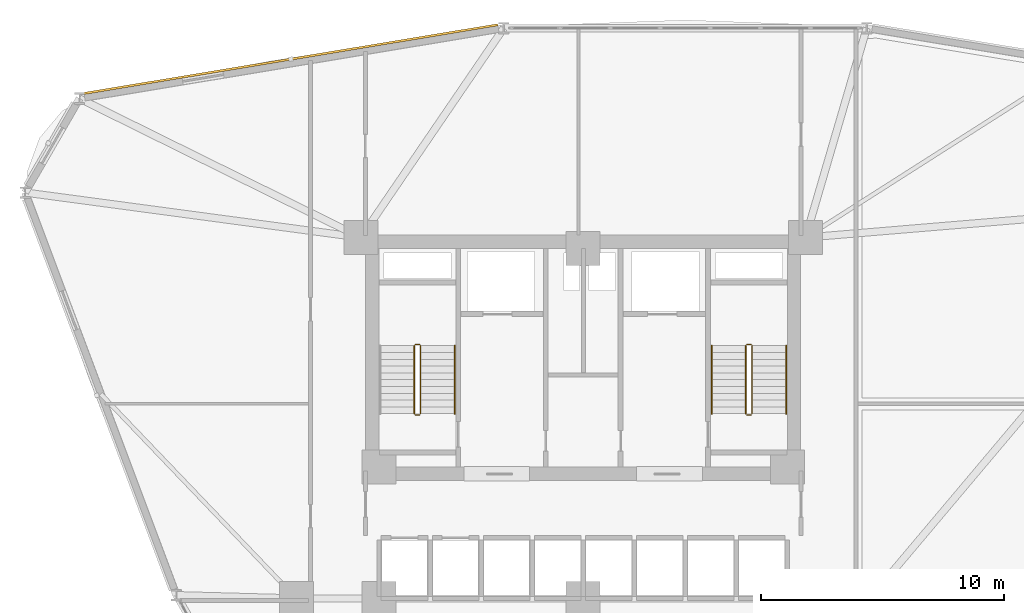
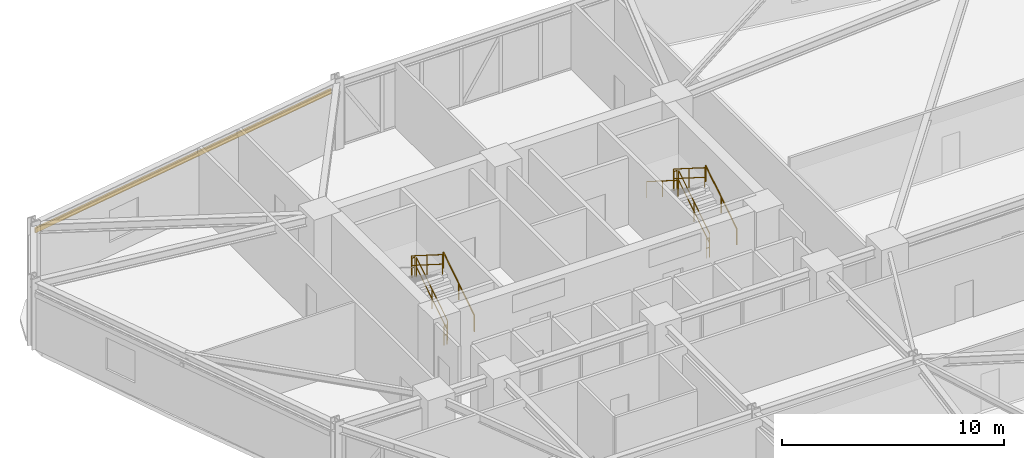
# One storey, part 19 of 20: 11 railings, 1 shading device.
"""IFC4 building model written with IfcOpenShell, lengths in metres."""

from ifc_helpers import new_model, si_unit, derived_unit, direction, frame, origin, origin_2d, place, context, subcontext, project, spatial, hollow_rectangle, circle, extrude, source, transform, mapped, material, material_profile, profile_set, type_object, element, save


model = new_model("IFC4")

# Units and contexts
model_context = context("Model", 3, precision=1e-05, world=origin(), true_north=direction((0.0, 1.0)))
body_context = subcontext(model_context, "Body", "Model", "MODEL_VIEW")
ifc_project = project(units=[si_unit("LENGTHUNIT", "METRE"), si_unit("AREAUNIT", "SQUARE_METRE"), si_unit("VOLUMEUNIT", "CUBIC_METRE"), si_unit("PLANEANGLEUNIT", "RADIAN"), si_unit("MASSUNIT", "GRAM", prefix="KILO"), derived_unit("THERMALTRANSMITTANCEUNIT", [(si_unit("POWERUNIT", "WATT"), 1), (si_unit("LENGTHUNIT", "METRE"), -2), (si_unit("THERMODYNAMICTEMPERATUREUNIT", "KELVIN"), -1)])], contexts=[model_context])

# Site, building, storey
site_placement = place(None, origin())
site = spatial("IfcSite", under=ifc_project, at=site_placement, CompositionType="ELEMENT")
building_placement = place(site_placement, origin())
building = spatial("IfcBuilding", under=site, at=building_placement, Name="Korsvarv Bourse and Concert Hall", CompositionType="ELEMENT")
storey_placement = place(building_placement, frame((0.0, 0.0, 79.5)))
storey = spatial("IfcBuildingStorey", under=building, at=storey_placement, Name="L19", CompositionType="ELEMENT", Elevation=79.5)

# Railings
ifc_material_1 = material(Name="Painted Steel S355 stair well guardrail", Category="steel")
railing_type_1 = type_object("IfcRailingType", Name="RL-ST-GRD", PredefinedType="GUARDRAIL", material=ifc_material_1)
railing_1_placement = place(storey_placement, frame((29.31005859375, 40.0, 0.17724609375)))
element("IfcRailing", 1, at=railing_1_placement, inside=storey, type_object=railing_type_1, Name="L19 ST-T1 stair guard 1", PredefinedType="GUARDRAIL", context=body_context, shape_type="SweptSolid", body=[
    extrude(circle(Radius=0.02392578125, at=origin_2d()), frame((0.0, 0.0, 1.076171875), z_axis=(0.0, 0.844908973607, 0.534910110503), x_axis=(-1.0, 0.0, 0.0)), (0.0, 0.0, 1.0), 3.31396484375),
    extrude(circle(Radius=0.02392578125, at=origin_2d()), frame((0.0, 0.0, 0.550048828125), z_axis=(0.0, 0.844908973607, 0.534910110503), x_axis=(-1.0, 0.0, 0.0)), (0.0, 0.0, 1.0), 3.31396484375),
    extrude(circle(Radius=0.02099609375, at=origin_2d()), origin(), (0.0, 0.0, 1.0), 1.052001953125),
    extrude(circle(Radius=0.02099609375, at=origin_2d()), frame((0.0, 1.39990234375, 0.88623046875)), (0.0, 0.0, 1.0), 1.052001953125),
    extrude(circle(Radius=0.02099609375, at=origin_2d()), frame((0.0, 2.800048828125, 1.772705078125)), (0.0, 0.0, 1.0), 1.052001953125),
])
railing_2_placement = place(storey_placement, frame((29.260009765625, 42.85009765625, 1.949951171875)))
element("IfcRailing", 2, at=railing_2_placement, inside=storey, type_object=railing_type_1, Name="L19 ST-T1 stair guard 2", PredefinedType="GUARDRAIL", context=body_context, shape_type="SweptSolid", body=[
    extrude(circle(Radius=0.02392578125, at=origin_2d()), frame((0.0, 0.0, 1.076171875), z_axis=(-1.0, 0.0, 0.0), x_axis=(0.0, -1.0, 0.0)), (0.0, 0.0, 1.0), 0.159912109375),
    extrude(circle(Radius=0.02392578125, at=origin_2d()), frame((0.0, 0.0, 0.550048828125), z_axis=(-1.0, 0.0, 0.0), x_axis=(0.0, -1.0, 0.0)), (0.0, 0.0, 1.0), 0.159912109375),
    extrude(circle(Radius=0.02099609375, at=origin_2d()), origin(), (0.0, 0.0, 1.0), 1.052001953125),
    extrude(circle(Radius=0.02099609375, at=origin_2d()), frame((-0.159912109375, 0.0, 0.0)), (0.0, 0.0, 1.0), 1.052001953125),
])
railing_3_placement = place(storey_placement, frame((29.050048828125, 42.800048828125, 2.127197265625)))
element("IfcRailing", 3, at=railing_3_placement, inside=storey, type_object=railing_type_1, Name="L19 ST-T1 stair guard 3", PredefinedType="GUARDRAIL", context=body_context, shape_type="SweptSolid", body=[
    extrude(circle(Radius=0.02392578125, at=origin_2d()), frame((0.0, 0.0, 1.076171875), z_axis=(0.0, -0.844908973607, 0.534910110503), x_axis=(1.0, 0.0, 0.0)), (0.0, 0.0, 1.0), 3.31396484375),
    extrude(circle(Radius=0.02392578125, at=origin_2d()), frame((0.0, 0.0, 0.550048828125), z_axis=(0.0, -0.844908973607, 0.534910110503), x_axis=(1.0, 0.0, 0.0)), (0.0, 0.0, 1.0), 3.31396484375),
    extrude(circle(Radius=0.02099609375, at=origin_2d()), origin(), (0.0, 0.0, 1.0), 1.052001953125),
    extrude(circle(Radius=0.02099609375, at=origin_2d()), frame((0.0, -1.39990234375, 0.88623046875)), (0.0, 0.0, 1.0), 1.052001953125),
    extrude(circle(Radius=0.02099609375, at=origin_2d()), frame((0.0, -2.800048828125, 1.772705078125)), (0.0, 0.0, 1.0), 1.052001953125),
])
railing_4_placement = place(storey_placement, frame((29.260009765625, 39.949951171875, 0.0)))
element("IfcRailing", 4, at=railing_4_placement, inside=storey, type_object=railing_type_1, Name="L19 ST-T1 stair guard 4", PredefinedType="GUARDRAIL", context=body_context, shape_type="SweptSolid", body=[
    extrude(circle(Radius=0.02392578125, at=origin_2d()), frame((0.0, 0.0, 1.076171875), z_axis=(-1.0, 0.0, 0.0), x_axis=(0.0, -1.0, 0.0)), (0.0, 0.0, 1.0), 0.159912109375),
    extrude(circle(Radius=0.02392578125, at=origin_2d()), frame((0.0, 0.0, 0.550048828125), z_axis=(-1.0, 0.0, 0.0), x_axis=(0.0, -1.0, 0.0)), (0.0, 0.0, 1.0), 0.159912109375),
    extrude(circle(Radius=0.02099609375, at=origin_2d()), origin(), (0.0, 0.0, 1.0), 1.052001953125),
    extrude(circle(Radius=0.02099609375, at=origin_2d()), frame((-0.159912109375, 0.0, 0.0)), (0.0, 0.0, 1.0), 1.052001953125),
])
railing_5_placement = place(storey_placement, frame((42.949951171875, 40.0, 0.17724609375)))
element("IfcRailing", 5, at=railing_5_placement, inside=storey, type_object=railing_type_1, Name="L19 ST-T2 stair guard 1", PredefinedType="GUARDRAIL", context=body_context, shape_type="SweptSolid", body=[
    extrude(circle(Radius=0.02392578125, at=origin_2d()), frame((0.0, 0.0, 1.076171875), z_axis=(0.0, 0.844908973607, 0.534910110503), x_axis=(-1.0, 0.0, 0.0)), (0.0, 0.0, 1.0), 3.31396484375),
    extrude(circle(Radius=0.02392578125, at=origin_2d()), frame((0.0, 0.0, 0.550048828125), z_axis=(0.0, 0.844908973607, 0.534910110503), x_axis=(-1.0, 0.0, 0.0)), (0.0, 0.0, 1.0), 3.31396484375),
    extrude(circle(Radius=0.02099609375, at=origin_2d()), origin(), (0.0, 0.0, 1.0), 1.052001953125),
    extrude(circle(Radius=0.02099609375, at=origin_2d()), frame((0.0, 1.39990234375, 0.88623046875)), (0.0, 0.0, 1.0), 1.052001953125),
    extrude(circle(Radius=0.02099609375, at=origin_2d()), frame((0.0, 2.800048828125, 1.772705078125)), (0.0, 0.0, 1.0), 1.052001953125),
])
railing_6_placement = place(storey_placement, frame((42.89990234375, 42.85009765625, 1.949951171875)))
element("IfcRailing", 6, at=railing_6_placement, inside=storey, type_object=railing_type_1, Name="L19 ST-T2 stair guard 2", PredefinedType="GUARDRAIL", context=body_context, shape_type="SweptSolid", body=[
    extrude(circle(Radius=0.02392578125, at=origin_2d()), frame((0.0, 0.0, 1.076171875), z_axis=(-1.0, 0.0, 0.0), x_axis=(0.0, -1.0, 0.0)), (0.0, 0.0, 1.0), 0.159912109375),
    extrude(circle(Radius=0.02392578125, at=origin_2d()), frame((0.0, 0.0, 0.550048828125), z_axis=(-1.0, 0.0, 0.0), x_axis=(0.0, -1.0, 0.0)), (0.0, 0.0, 1.0), 0.159912109375),
    extrude(circle(Radius=0.02099609375, at=origin_2d()), origin(), (0.0, 0.0, 1.0), 1.052001953125),
    extrude(circle(Radius=0.02099609375, at=origin_2d()), frame((-0.159912109375, 0.0, 0.0)), (0.0, 0.0, 1.0), 1.052001953125),
])
railing_7_placement = place(storey_placement, frame((42.68994140625, 42.800048828125, 2.127197265625)))
element("IfcRailing", 7, at=railing_7_placement, inside=storey, type_object=railing_type_1, Name="L19 ST-T2 stair guard 3", PredefinedType="GUARDRAIL", context=body_context, shape_type="SweptSolid", body=[
    extrude(circle(Radius=0.02392578125, at=origin_2d()), frame((0.0, 0.0, 1.076171875), z_axis=(0.0, -0.844908973607, 0.534910110503), x_axis=(1.0, 0.0, 0.0)), (0.0, 0.0, 1.0), 3.31396484375),
    extrude(circle(Radius=0.02392578125, at=origin_2d()), frame((0.0, 0.0, 0.550048828125), z_axis=(0.0, -0.844908973607, 0.534910110503), x_axis=(1.0, 0.0, 0.0)), (0.0, 0.0, 1.0), 3.31396484375),
    extrude(circle(Radius=0.02099609375, at=origin_2d()), origin(), (0.0, 0.0, 1.0), 1.052001953125),
    extrude(circle(Radius=0.02099609375, at=origin_2d()), frame((0.0, -1.39990234375, 0.88623046875)), (0.0, 0.0, 1.0), 1.052001953125),
    extrude(circle(Radius=0.02099609375, at=origin_2d()), frame((0.0, -2.800048828125, 1.772705078125)), (0.0, 0.0, 1.0), 1.052001953125),
])
railing_8_placement = place(storey_placement, frame((42.89990234375, 39.949951171875, 0.0)))
element("IfcRailing", 8, at=railing_8_placement, inside=storey, type_object=railing_type_1, Name="L19 ST-T2 stair guard 4", PredefinedType="GUARDRAIL", context=body_context, shape_type="SweptSolid", body=[
    extrude(circle(Radius=0.02392578125, at=origin_2d()), frame((0.0, 0.0, 1.076171875), z_axis=(-1.0, 0.0, 0.0), x_axis=(0.0, -1.0, 0.0)), (0.0, 0.0, 1.0), 0.159912109375),
    extrude(circle(Radius=0.02392578125, at=origin_2d()), frame((0.0, 0.0, 0.550048828125), z_axis=(-1.0, 0.0, 0.0), x_axis=(0.0, -1.0, 0.0)), (0.0, 0.0, 1.0), 0.159912109375),
    extrude(circle(Radius=0.02099609375, at=origin_2d()), origin(), (0.0, 0.0, 1.0), 1.052001953125),
    extrude(circle(Radius=0.02099609375, at=origin_2d()), frame((-0.159912109375, 0.0, 0.0)), (0.0, 0.0, 1.0), 1.052001953125),
])
ifc_material_2 = material(Name="Brushed stainless Steel S355 tubular handrail", Category="steel")
railing_type_2 = type_object("IfcRailingType", Name="RL-ST-HND", PredefinedType="HANDRAIL", material=ifc_material_2)
for number, where, name in (
    (9, (30.7099609375, 40.0, 0.17724609375), "L19 ST-T1 stair handrail 1"),
    (10, (44.35009765625, 40.0, 0.17724609375), "L19 ST-T2 stair handrail 1"),
):
    element("IfcRailing", number, at=place(storey_placement, frame(where)), inside=storey, type_object=railing_type_2, Name=name, PredefinedType="HANDRAIL", context=body_context, shape_type="SweptSolid", body=[
        extrude(circle(Radius=0.02392578125, at=origin_2d()), frame((0.0, 0.0, 0.8759765625), z_axis=(0.0, 0.844908973607, 0.534910110503), x_axis=(-1.0, 0.0, 0.0)), (0.0, 0.0, 1.0), 3.31396484375),
        extrude(circle(Radius=0.02099609375, at=origin_2d()), origin(), (0.0, 0.0, 1.0), 0.851806640625),
        extrude(circle(Radius=0.02099609375, at=origin_2d()), frame((0.0, 1.39990234375, 0.88623046875)), (0.0, 0.0, 1.0), 0.851806640625),
        extrude(circle(Radius=0.02099609375, at=origin_2d()), frame((0.0, 2.800048828125, 1.772705078125)), (0.0, 0.0, 1.0), 0.851806640625),
    ])
railing_9_placement = place(storey_placement, frame((41.2900390625, 42.800048828125, 2.127197265625)))
element("IfcRailing", 11, at=railing_9_placement, inside=storey, type_object=railing_type_2, Name="L19 ST-T2 stair handrail 2", PredefinedType="HANDRAIL", context=body_context, shape_type="SweptSolid", body=[
    extrude(circle(Radius=0.02392578125, at=origin_2d()), frame((0.0, 0.0, 0.8759765625), z_axis=(0.0, -0.844908973607, 0.534910110503), x_axis=(1.0, 0.0, 0.0)), (0.0, 0.0, 1.0), 3.31396484375),
    extrude(circle(Radius=0.02099609375, at=origin_2d()), origin(), (0.0, 0.0, 1.0), 0.851806640625),
    extrude(circle(Radius=0.02099609375, at=origin_2d()), frame((0.0, -1.39990234375, 0.88623046875)), (0.0, 0.0, 1.0), 0.851806640625),
    extrude(circle(Radius=0.02099609375, at=origin_2d()), frame((0.0, -2.800048828125, 1.772705078125)), (0.0, 0.0, 1.0), 0.851806640625),
])

# Shading device
ifc_material_3 = material(Name="Glazed extruded architectural terracotta", Category="ceramic")
ifc_material_profile = material_profile(ifc_material_3, hollow_rectangle(XDim=0.090087890625, YDim=0.260009765625, WallThickness=0.011962890625, at=origin_2d()), Name="TC-BAG 90x260")
ifc_profile_set = profile_set([ifc_material_profile], Name="Glazed extruded architectural terracotta")
shading_device_type = type_object("IfcShadingDeviceType", Name="SHD-BAG-1", PredefinedType="USERDEFINED", material=ifc_profile_set)
shared_shape = source(origin(), body_context, "Body", "SweptSolid", [
    extrude(hollow_rectangle(XDim=0.090087890625, YDim=0.260009765625, WallThickness=0.011962890625, at=origin_2d()), origin(), (0.0, 0.0, 1.0), 17.2578125),
])
shading_device_placement = place(storey_placement, frame((32.485595703125, 56.00439453125, 3.070068359375), z_axis=(-0.986523232029, -0.163621247604, 0.0), x_axis=(0.163621247604, -0.986523232029, 0.0)))
element("IfcShadingDevice", 12, at=shading_device_placement, inside=storey, type_object=shading_device_type, Name="L19 terracotta baguette sunshade EW-L19-B04", ObjectType="BAGUETTE", PredefinedType="USERDEFINED", context=body_context, shape_type="MappedRepresentation", body=[
    mapped(shared_shape, transform((0.0, 0.0, 0.0), scale=1.0)),
])

save(model, "model.ifc")
